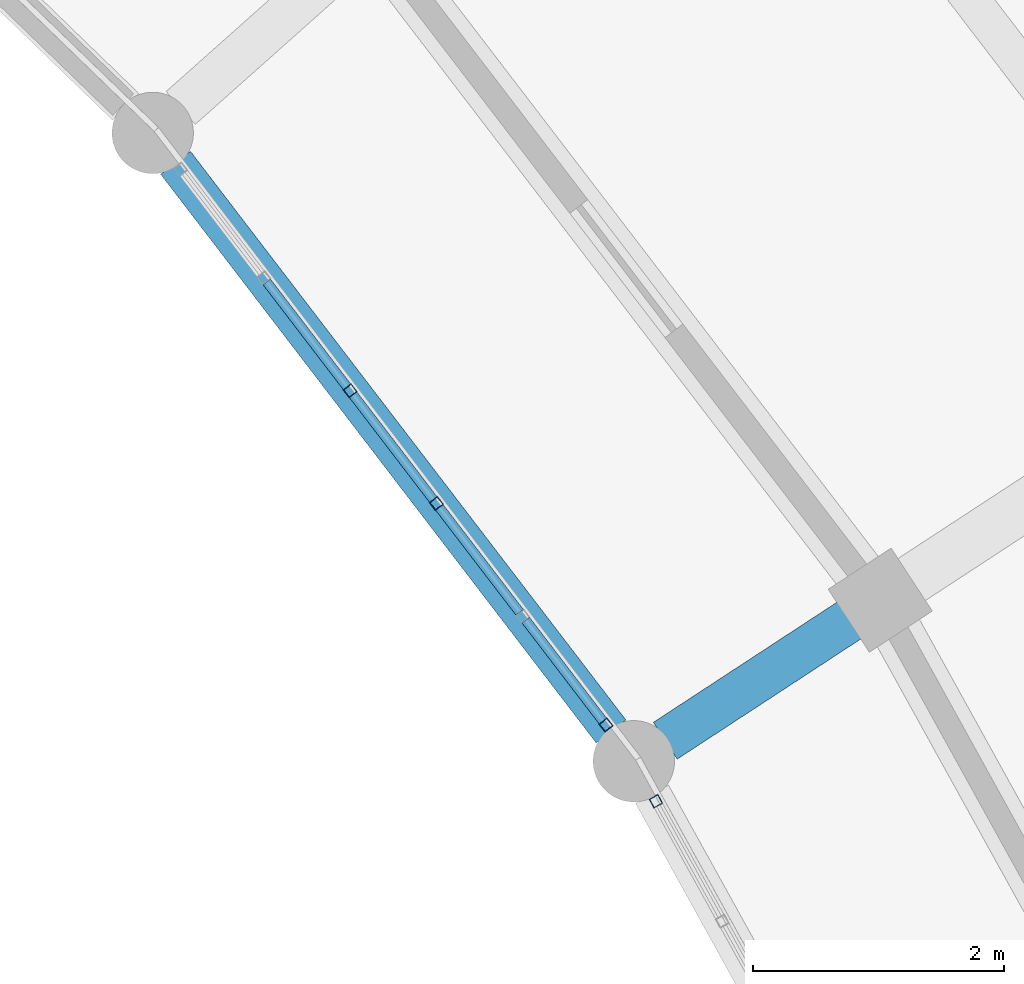
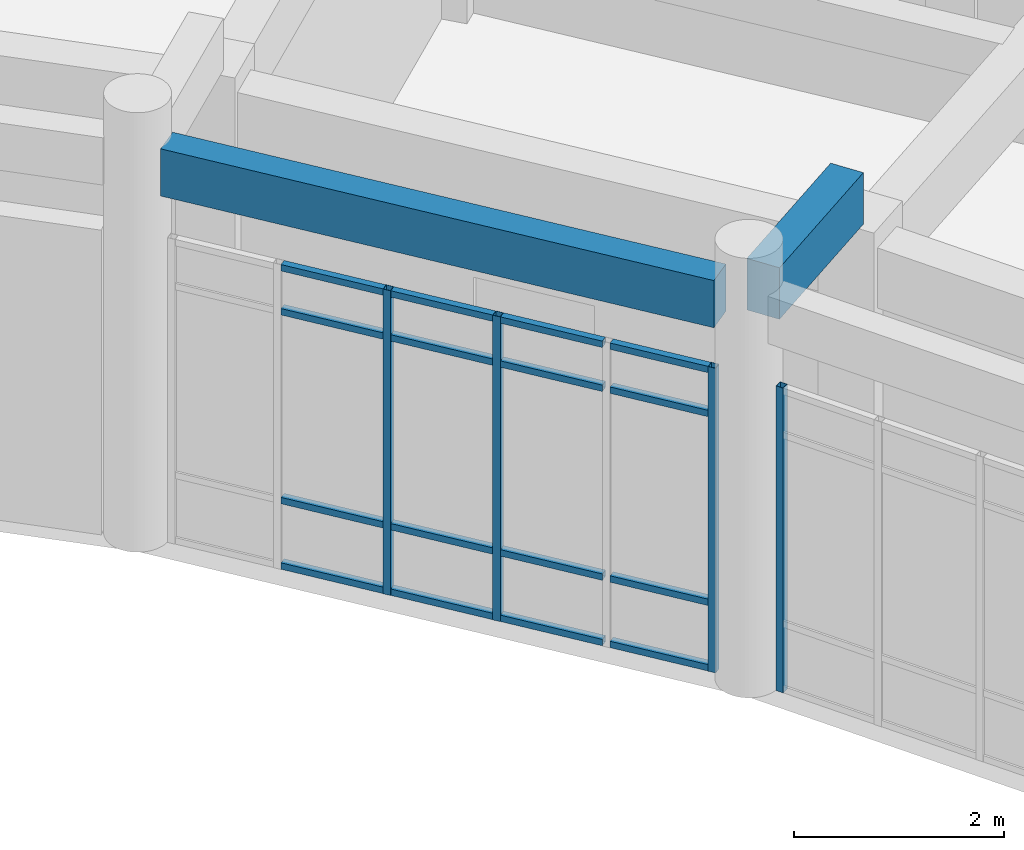
# One storey, part 77 of 159: 20 members, 2 beams, 2 elements without a shape of their own.
"""IFC4 building model written with IfcOpenShell, lengths in metres."""

from ifc_helpers import new_model, si_unit, direction, frame, origin, origin_2d, place, context, subcontext, project, spatial, rectangle, hollow_rectangle, extrude, material, material_profile, profile_set, type_object, element, aggregate, save


model = new_model("IFC4")

# Units and contexts
model_context = context("Model", 3, precision=1e-05, world=origin(), true_north=direction((0.0, 1.0)))
body_context = subcontext(model_context, "Body", "Model", "MODEL_VIEW")
ifc_project = project(units=[si_unit("LENGTHUNIT", "METRE"), si_unit("AREAUNIT", "SQUARE_METRE"), si_unit("VOLUMEUNIT", "CUBIC_METRE"), si_unit("PLANEANGLEUNIT", "RADIAN"), si_unit("MASSUNIT", "GRAM", prefix="KILO")], contexts=[model_context])

# Site, building, storey
site_placement = place(None, origin())
site = spatial("IfcSite", under=ifc_project, at=site_placement, CompositionType="ELEMENT")
building_placement = place(site_placement, origin())
building = spatial("IfcBuilding", under=site, at=building_placement, Name="Celadon Cloister-Ring School", CompositionType="ELEMENT")
storey_placement = place(building_placement, frame((0.0, 0.0, 4.5)))
storey = spatial("IfcBuildingStorey", under=building, at=storey_placement, Name="L01", CompositionType="ELEMENT", Elevation=4.5)

# Beam
ifc_material_1 = material(Name="Concrete C35/45", Category="concrete")
ifc_material_profile_1 = material_profile(ifc_material_1, rectangle(XDim=0.35009765625, YDim=0.60009765625, at=origin_2d()), Name="RC350X600")
ifc_profile_set_1 = profile_set([ifc_material_profile_1], Name="Concrete C35/45")
beam_type_1 = type_object("IfcBeamType", Name="BT-02", PredefinedType="BEAM", material=ifc_profile_set_1)
beam_1_placement = place(storey_placement, frame((124.427978515625, 83.485107421875, 4.35009765625), z_axis=(-0.836841228722, -0.547445666629, 0.0), x_axis=(0.547445666629, -0.836841228722, 0.0)))
element("IfcBeam", 1, at=beam_1_placement, inside=storey, type_object=beam_type_1, Name="Beam 0260", PredefinedType="BEAM", context=body_context, shape_type="SweptSolid", body=[
    extrude(rectangle(XDim=0.35009765625, YDim=0.60009765625, at=origin_2d()), origin(), (0.0, 0.0, 1.0), 1.77587890625),
])

# Curtain wall, member
ifc_material_2 = material(Name="Aluminium EN AW-6063 T6", Category="aluminium")
curtain_wall_type = type_object("IfcCurtainWallType", Name="CW-01", PredefinedType="USERDEFINED", material=ifc_material_2)
curtain_wall_1_placement = place(storey_placement, origin())
curtain_wall_1 = element("IfcCurtainWall", 2, at=curtain_wall_1_placement, inside=storey, type_object=curtain_wall_type, Name="Curtain Wall 0041", ObjectType="CURTAIN WALL", PredefinedType="USERDEFINED")
ifc_material_3 = material(Name="Aluminium EN AW-6063 T6", Category="aluminium")
ifc_material_profile_2 = material_profile(ifc_material_3, hollow_rectangle(XDim=0.080078125, YDim=0.080078125, WallThickness=0.00390625, at=origin_2d()), Name="RHS80X80X4")
ifc_profile_set_2 = profile_set([ifc_material_profile_2], Name="Aluminium EN AW-6063 T6")
member_type_1 = type_object("IfcMemberType", Name="CM-03", PredefinedType="MULLION", material=ifc_profile_set_2)
member_1_placement = place(storey_placement, frame((122.867431640625, 82.030029296875, 0.0), z_axis=(0.0, 0.0, 1.0), x_axis=(-0.875103966438, -0.483934962494, 0.0)))
member_1 = element("IfcMember", 3, at=member_1_placement, type_object=member_type_1, Name="CW-01 mullion 6", PredefinedType="MULLION", context=body_context, shape_type="SweptSolid", body=[
    extrude(hollow_rectangle(XDim=0.080078125, YDim=0.080078125, WallThickness=0.00390625, at=origin_2d()), origin(), (0.0, 0.0, 1.0), 3.550048828125),
])
aggregate(curtain_wall_1, [member_1])

# Curtain wall, members
curtain_wall_2_placement = place(storey_placement, origin())
curtain_wall_2 = element("IfcCurtainWall", 4, at=curtain_wall_2_placement, inside=storey, type_object=curtain_wall_type, Name="Curtain Wall 0042", ObjectType="CURTAIN WALL", PredefinedType="USERDEFINED")
member_2_placement = place(storey_placement, frame((122.46875, 82.638671875, 0.0), z_axis=(0.0, 0.0, 1.0), x_axis=(-0.794032169563, -0.607875738699, 0.0)))
member_2 = element("IfcMember", 5, at=member_2_placement, type_object=member_type_1, Name="CW-01 mullion 1", PredefinedType="MULLION", context=body_context, shape_type="SweptSolid", body=[
    extrude(hollow_rectangle(XDim=0.080078125, YDim=0.080078125, WallThickness=0.00390625, at=origin_2d()), origin(), (0.0, 0.0, 1.0), 3.550048828125),
])
member_3_placement = place(storey_placement, frame((121.114990234375, 84.406982421875, 0.0), z_axis=(0.0, 0.0, 1.0), x_axis=(-0.794032169563, -0.607875738699, 0.0)))
member_3 = element("IfcMember", 6, at=member_3_placement, type_object=member_type_1, Name="CW-01 mullion 3", PredefinedType="MULLION", context=body_context, shape_type="SweptSolid", body=[
    extrude(hollow_rectangle(XDim=0.080078125, YDim=0.080078125, WallThickness=0.00390625, at=origin_2d()), origin(), (0.0, 0.0, 1.0), 3.550048828125),
])
member_4_placement = place(storey_placement, frame((120.426025390625, 85.306884765625, 0.0), z_axis=(0.0, 0.0, 1.0), x_axis=(-0.794032169563, -0.607875738699, 0.0)))
member_4 = element("IfcMember", 7, at=member_4_placement, type_object=member_type_1, Name="CW-01 mullion 4", PredefinedType="MULLION", context=body_context, shape_type="SweptSolid", body=[
    extrude(hollow_rectangle(XDim=0.080078125, YDim=0.080078125, WallThickness=0.00390625, at=origin_2d()), origin(), (0.0, 0.0, 1.0), 3.550048828125),
])
ifc_material_4 = material(Name="Aluminium EN AW-6063 T6", Category="aluminium")
ifc_material_profile_3 = material_profile(ifc_material_4, hollow_rectangle(XDim=0.074951171875, YDim=0.074951171875, WallThickness=0.00390625, at=origin_2d()), Name="RHS75X75X4")
ifc_profile_set_3 = profile_set([ifc_material_profile_3], Name="Aluminium EN AW-6063 T6")
member_type_2 = type_object("IfcMemberType", Name="CTM-03", PredefinedType="USERDEFINED", material=ifc_profile_set_3)
member_5_placement = place(storey_placement, frame((122.4443359375, 82.67041015625, 0.03759765625), z_axis=(-0.607718292077, 0.794152678945, 0.0), x_axis=(-0.794152678945, -0.607718292077, 0.0)))
member_5 = element("IfcMember", 8, at=member_5_placement, type_object=member_type_2, Name="CW-01 transom 1.1", ObjectType="TRANSOM", PredefinedType="USERDEFINED", context=body_context, shape_type="SweptSolid", body=[
    extrude(hollow_rectangle(XDim=0.074951171875, YDim=0.074951171875, WallThickness=0.00390625, at=origin_2d()), origin(), (0.0, 0.0, 1.0), 1.013671875),
])
member_6_placement = place(storey_placement, frame((122.4443359375, 82.67041015625, 0.800048828125), z_axis=(-0.607718292077, 0.794152678945, 0.0), x_axis=(-0.794152678945, -0.607718292077, 0.0)))
member_6 = element("IfcMember", 9, at=member_6_placement, type_object=member_type_2, Name="CW-01 transom 1.2", ObjectType="TRANSOM", PredefinedType="USERDEFINED", context=body_context, shape_type="SweptSolid", body=[
    extrude(hollow_rectangle(XDim=0.074951171875, YDim=0.074951171875, WallThickness=0.00390625, at=origin_2d()), origin(), (0.0, 0.0, 1.0), 1.013671875),
])
member_7_placement = place(storey_placement, frame((122.4443359375, 82.67041015625, 3.0), z_axis=(-0.607718292077, 0.794152678945, 0.0), x_axis=(-0.794152678945, -0.607718292077, 0.0)))
member_7 = element("IfcMember", 10, at=member_7_placement, type_object=member_type_2, Name="CW-01 transom 1.3", ObjectType="TRANSOM", PredefinedType="USERDEFINED", context=body_context, shape_type="SweptSolid", body=[
    extrude(hollow_rectangle(XDim=0.074951171875, YDim=0.074951171875, WallThickness=0.00390625, at=origin_2d()), origin(), (0.0, 0.0, 1.0), 1.013671875),
])
member_8_placement = place(storey_placement, frame((122.4443359375, 82.67041015625, 3.512451171875), z_axis=(-0.607718292077, 0.794152678945, 0.0), x_axis=(-0.794152678945, -0.607718292077, 0.0)))
member_8 = element("IfcMember", 11, at=member_8_placement, type_object=member_type_2, Name="CW-01 transom 1.4", ObjectType="TRANSOM", PredefinedType="USERDEFINED", context=body_context, shape_type="SweptSolid", body=[
    extrude(hollow_rectangle(XDim=0.074951171875, YDim=0.074951171875, WallThickness=0.00390625, at=origin_2d()), origin(), (0.0, 0.0, 1.0), 1.013671875),
])
member_9_placement = place(storey_placement, frame((121.77978515625, 83.538818359375, 0.03759765625), z_axis=(-0.607905936714, 0.794009050394, 0.0), x_axis=(-0.794009050394, -0.607905936714, 0.0)))
member_9 = element("IfcMember", 12, at=member_9_placement, type_object=member_type_2, Name="CW-01 transom 2.1", ObjectType="TRANSOM", PredefinedType="USERDEFINED", context=body_context, shape_type="SweptSolid", body=[
    extrude(hollow_rectangle(XDim=0.074951171875, YDim=0.074951171875, WallThickness=0.00390625, at=origin_2d()), origin(), (0.0, 0.0, 1.0), 1.053466796875),
])
member_10_placement = place(storey_placement, frame((121.77978515625, 83.538818359375, 0.800048828125), z_axis=(-0.607905936714, 0.794009050394, 0.0), x_axis=(-0.794009050394, -0.607905936714, 0.0)))
member_10 = element("IfcMember", 13, at=member_10_placement, type_object=member_type_2, Name="CW-01 transom 2.2", ObjectType="TRANSOM", PredefinedType="USERDEFINED", context=body_context, shape_type="SweptSolid", body=[
    extrude(hollow_rectangle(XDim=0.074951171875, YDim=0.074951171875, WallThickness=0.00390625, at=origin_2d()), origin(), (0.0, 0.0, 1.0), 1.053466796875),
])
member_11_placement = place(storey_placement, frame((121.77978515625, 83.538818359375, 3.0), z_axis=(-0.607905936714, 0.794009050394, 0.0), x_axis=(-0.794009050394, -0.607905936714, 0.0)))
member_11 = element("IfcMember", 14, at=member_11_placement, type_object=member_type_2, Name="CW-01 transom 2.3", ObjectType="TRANSOM", PredefinedType="USERDEFINED", context=body_context, shape_type="SweptSolid", body=[
    extrude(hollow_rectangle(XDim=0.074951171875, YDim=0.074951171875, WallThickness=0.00390625, at=origin_2d()), origin(), (0.0, 0.0, 1.0), 1.053466796875),
])
member_12_placement = place(storey_placement, frame((121.77978515625, 83.538818359375, 3.512451171875), z_axis=(-0.607905936714, 0.794009050394, 0.0), x_axis=(-0.794009050394, -0.607905936714, 0.0)))
member_12 = element("IfcMember", 15, at=member_12_placement, type_object=member_type_2, Name="CW-01 transom 2.4", ObjectType="TRANSOM", PredefinedType="USERDEFINED", context=body_context, shape_type="SweptSolid", body=[
    extrude(hollow_rectangle(XDim=0.074951171875, YDim=0.074951171875, WallThickness=0.00390625, at=origin_2d()), origin(), (0.0, 0.0, 1.0), 1.053466796875),
])
member_13_placement = place(storey_placement, frame((121.090576171875, 84.438720703125, 0.03759765625), z_axis=(-0.607905936714, 0.794009050394, 0.0), x_axis=(-0.794009050394, -0.607905936714, 0.0)))
member_13 = element("IfcMember", 16, at=member_13_placement, type_object=member_type_2, Name="CW-01 transom 3.1", ObjectType="TRANSOM", PredefinedType="USERDEFINED", context=body_context, shape_type="SweptSolid", body=[
    extrude(hollow_rectangle(XDim=0.074951171875, YDim=0.074951171875, WallThickness=0.00390625, at=origin_2d()), origin(), (0.0, 0.0, 1.0), 1.053466796875),
])
member_14_placement = place(storey_placement, frame((121.090576171875, 84.438720703125, 0.800048828125), z_axis=(-0.607905936714, 0.794009050394, 0.0), x_axis=(-0.794009050394, -0.607905936714, 0.0)))
member_14 = element("IfcMember", 17, at=member_14_placement, type_object=member_type_2, Name="CW-01 transom 3.2", ObjectType="TRANSOM", PredefinedType="USERDEFINED", context=body_context, shape_type="SweptSolid", body=[
    extrude(hollow_rectangle(XDim=0.074951171875, YDim=0.074951171875, WallThickness=0.00390625, at=origin_2d()), origin(), (0.0, 0.0, 1.0), 1.053466796875),
])
member_15_placement = place(storey_placement, frame((121.090576171875, 84.438720703125, 3.0), z_axis=(-0.607905936714, 0.794009050394, 0.0), x_axis=(-0.794009050394, -0.607905936714, 0.0)))
member_15 = element("IfcMember", 18, at=member_15_placement, type_object=member_type_2, Name="CW-01 transom 3.3", ObjectType="TRANSOM", PredefinedType="USERDEFINED", context=body_context, shape_type="SweptSolid", body=[
    extrude(hollow_rectangle(XDim=0.074951171875, YDim=0.074951171875, WallThickness=0.00390625, at=origin_2d()), origin(), (0.0, 0.0, 1.0), 1.053466796875),
])
member_16_placement = place(storey_placement, frame((121.090576171875, 84.438720703125, 3.512451171875), z_axis=(-0.607905936714, 0.794009050394, 0.0), x_axis=(-0.794009050394, -0.607905936714, 0.0)))
member_16 = element("IfcMember", 19, at=member_16_placement, type_object=member_type_2, Name="CW-01 transom 3.4", ObjectType="TRANSOM", PredefinedType="USERDEFINED", context=body_context, shape_type="SweptSolid", body=[
    extrude(hollow_rectangle(XDim=0.074951171875, YDim=0.074951171875, WallThickness=0.00390625, at=origin_2d()), origin(), (0.0, 0.0, 1.0), 1.053466796875),
])
member_17_placement = place(storey_placement, frame((120.401611328125, 85.3388671875, 0.03759765625), z_axis=(-0.607905936714, 0.794009050394, 0.0), x_axis=(-0.794009050394, -0.607905936714, 0.0)))
member_17 = element("IfcMember", 20, at=member_17_placement, type_object=member_type_2, Name="CW-01 transom 4.1", ObjectType="TRANSOM", PredefinedType="USERDEFINED", context=body_context, shape_type="SweptSolid", body=[
    extrude(hollow_rectangle(XDim=0.074951171875, YDim=0.074951171875, WallThickness=0.00390625, at=origin_2d()), origin(), (0.0, 0.0, 1.0), 1.053466796875),
])
member_18_placement = place(storey_placement, frame((120.401611328125, 85.3388671875, 0.800048828125), z_axis=(-0.607905936714, 0.794009050394, 0.0), x_axis=(-0.794009050394, -0.607905936714, 0.0)))
member_18 = element("IfcMember", 21, at=member_18_placement, type_object=member_type_2, Name="CW-01 transom 4.2", ObjectType="TRANSOM", PredefinedType="USERDEFINED", context=body_context, shape_type="SweptSolid", body=[
    extrude(hollow_rectangle(XDim=0.074951171875, YDim=0.074951171875, WallThickness=0.00390625, at=origin_2d()), origin(), (0.0, 0.0, 1.0), 1.053466796875),
])
member_19_placement = place(storey_placement, frame((120.401611328125, 85.3388671875, 3.0), z_axis=(-0.607905936714, 0.794009050394, 0.0), x_axis=(-0.794009050394, -0.607905936714, 0.0)))
member_19 = element("IfcMember", 22, at=member_19_placement, type_object=member_type_2, Name="CW-01 transom 4.3", ObjectType="TRANSOM", PredefinedType="USERDEFINED", context=body_context, shape_type="SweptSolid", body=[
    extrude(hollow_rectangle(XDim=0.074951171875, YDim=0.074951171875, WallThickness=0.00390625, at=origin_2d()), origin(), (0.0, 0.0, 1.0), 1.053466796875),
])
member_20_placement = place(storey_placement, frame((120.401611328125, 85.3388671875, 3.512451171875), z_axis=(-0.607905936714, 0.794009050394, 0.0), x_axis=(-0.794009050394, -0.607905936714, 0.0)))
member_20 = element("IfcMember", 23, at=member_20_placement, type_object=member_type_2, Name="CW-01 transom 4.4", ObjectType="TRANSOM", PredefinedType="USERDEFINED", context=body_context, shape_type="SweptSolid", body=[
    extrude(hollow_rectangle(XDim=0.074951171875, YDim=0.074951171875, WallThickness=0.00390625, at=origin_2d()), origin(), (0.0, 0.0, 1.0), 1.053466796875),
])
aggregate(curtain_wall_2, [member_2, member_3, member_4, member_5, member_6, member_7, member_8, member_9, member_10, member_11, member_12, member_13, member_14, member_15, member_16, member_17, member_18, member_19, member_20])

# Beam
ifc_material_5 = material(Name="Concrete C35/45", Category="concrete")
ifc_material_profile_4 = material_profile(ifc_material_5, rectangle(XDim=0.300048828125, YDim=0.550048828125, at=origin_2d()), Name="RC300X550")
ifc_profile_set_4 = profile_set([ifc_material_profile_4], Name="Concrete C35/45")
beam_type_2 = type_object("IfcBeamType", Name="SP-02", PredefinedType="SPANDREL", material=ifc_profile_set_4)
beam_2_placement = place(storey_placement, frame((122.509033203125, 82.5869140625, 4.375), z_axis=(-0.608029932988, 0.793914101519, 0.0), x_axis=(-0.793914101519, -0.608029932988, 0.0)))
element("IfcBeam", 24, at=beam_2_placement, inside=storey, type_object=beam_type_2, Name="Beam 0387", PredefinedType="SPANDREL", context=body_context, shape_type="SweptSolid", body=[
    extrude(rectangle(XDim=0.300048828125, YDim=0.550048828125, at=origin_2d()), origin(), (0.0, 0.0, 1.0), 5.718505859375),
])

save(model, "model.ifc")
